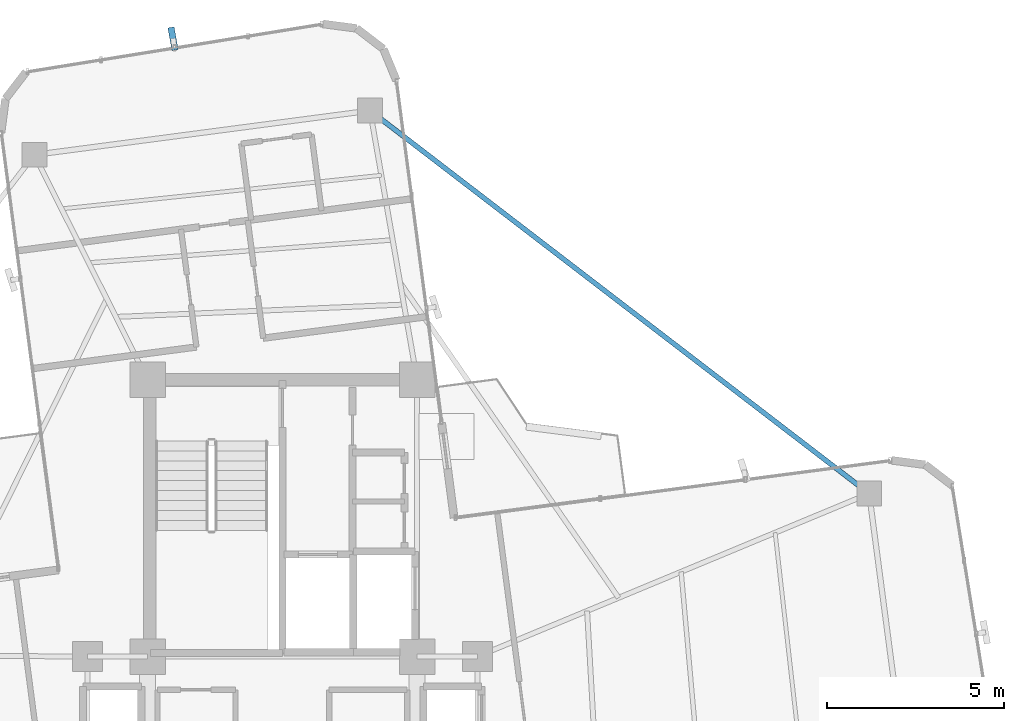
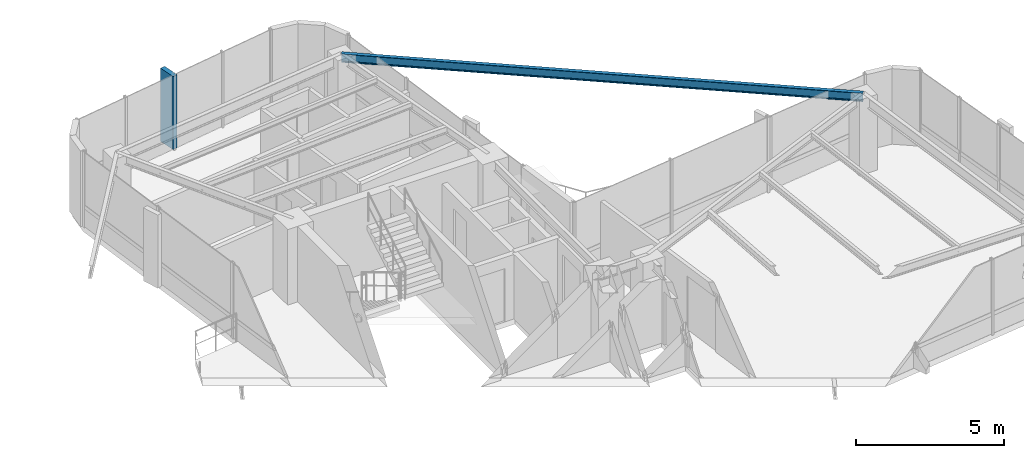
# One storey, part 15 of 22: 1 beam, 1 member, 1 element without a shape of its own.
"""IFC4 building model written with IfcOpenShell, lengths in metres."""

from ifc_helpers import new_model, si_unit, direction, frame, origin, origin_2d, place, context, subcontext, project, spatial, rectangle, i_section, extrude, source, transform, mapped, material, material_profile, profile_set, type_object, element, aggregate, save


model = new_model("IFC4")

# Units and contexts
model_context = context("Model", 3, precision=1e-05, world=origin(), true_north=direction((0.0, 1.0)))
body_context = subcontext(model_context, "Body", "Model", "MODEL_VIEW")
ifc_project = project(units=[si_unit("LENGTHUNIT", "METRE"), si_unit("AREAUNIT", "SQUARE_METRE"), si_unit("VOLUMEUNIT", "CUBIC_METRE"), si_unit("PLANEANGLEUNIT", "RADIAN"), si_unit("MASSUNIT", "GRAM", prefix="KILO")], contexts=[model_context])

# Site, building, storey
site_placement = place(None, origin())
site = spatial("IfcSite", under=ifc_project, at=site_placement, CompositionType="ELEMENT")
building_placement = place(site_placement, origin())
building = spatial("IfcBuilding", under=site, at=building_placement, Name="Sahyath Konkavel Grand Hotel", CompositionType="ELEMENT")
storey_placement = place(building_placement, frame((0.0, 0.0, 237.800048828125)))
storey = spatial("IfcBuildingStorey", under=building, at=storey_placement, Name="L66", CompositionType="ELEMENT", Elevation=237.800048828125)

# Beam
ifc_material_1 = material(Name="Steel E350", Category="steel")
ifc_material_profile_1 = material_profile(ifc_material_1, i_section(OverallWidth=0.139892578125, OverallDepth=0.35009765625, WebThickness=0.008056640625, FlangeThickness=0.01416015625, FilletRadius=0.013916015625, at=origin_2d()), Name="ISMB 350")
ifc_profile_set_1 = profile_set([ifc_material_profile_1], Name="Steel E350")
beam_type = type_object("IfcBeamType", Name="BM-ISMB350", PredefinedType="BEAM", material=ifc_profile_set_1)
shared_shape_1 = source(origin(), body_context, "Body", "SweptSolid", [
    extrude(i_section(OverallWidth=0.139892578125, OverallDepth=0.35009765625, WebThickness=0.008056640625, FlangeThickness=0.01416015625, FilletRadius=0.013916015625, at=origin_2d()), origin(), (0.0, 0.0, 1.0), 17.741455078125),
])
beam_placement = place(storey_placement, frame((16.548583984375, 6.994873046875, 2.93505859375), z_axis=(-0.793352911691, 0.60876198757, 0.0), x_axis=(-0.60876198757, -0.793352911691, 0.0)))
element("IfcBeam", 1, at=beam_placement, inside=storey, type_object=beam_type, Name="L66 Re-Entrant Tie Beam NE", PredefinedType="BEAM", context=body_context, shape_type="MappedRepresentation", body=[
    mapped(shared_shape_1, transform((0.0, 0.0, 0.0), scale=1.0)),
])

# Curtain wall, member
ifc_material_2 = material(Name="Anodised Bronze Aluminium & Low-E Glazing", Category="aluminium")
curtain_wall_type = type_object("IfcCurtainWallType", Name="CW-ZONE4", PredefinedType="NOTDEFINED", material=ifc_material_2)
curtain_wall_placement = place(storey_placement, origin())
curtain_wall = element("IfcCurtainWall", 2, at=curtain_wall_placement, inside=storey, type_object=curtain_wall_type, Name="L66 Unitised Curtain Wall F12", PredefinedType="NOTDEFINED")
ifc_material_3 = material(Name="Warm Buff Sandstone Cladding on Concrete C50/60", Category="masonry")
ifc_material_profile_2 = material_profile(ifc_material_3, rectangle(XDim=0.179931640625, YDim=0.64990234375, at=origin_2d()), Name="FIN 180x650")
ifc_profile_set_2 = profile_set([ifc_material_profile_2], Name="Warm Buff Sandstone Cladding on Concrete C50/60")
member_type = type_object("IfcMemberType", Name="FIN-SANDSTONE-650", PredefinedType="MULLION", material=ifc_profile_set_2)
shared_shape_2 = source(origin(), body_context, "Body", "SweptSolid", [
    extrude(rectangle(XDim=0.179931640625, YDim=0.64990234375, at=origin_2d()), origin(), (0.0, 0.0, 1.0), 3.010009765625),
])
member_placement = place(storey_placement, frame((-3.083984375, 19.822998046875, 0.050048828125), z_axis=(0.0, 0.0, 1.0), x_axis=(0.98372862895, 0.179660748593, 0.0)))
member = element("IfcMember", 3, at=member_placement, type_object=member_type, Name="L66 Sandstone Vertical Solar Fin FIN F12-2", PredefinedType="MULLION", context=body_context, shape_type="MappedRepresentation", body=[
    mapped(shared_shape_2, transform((0.0, 0.0, 0.0), scale=1.0)),
])
aggregate(curtain_wall, [member])

save(model, "model.ifc")
